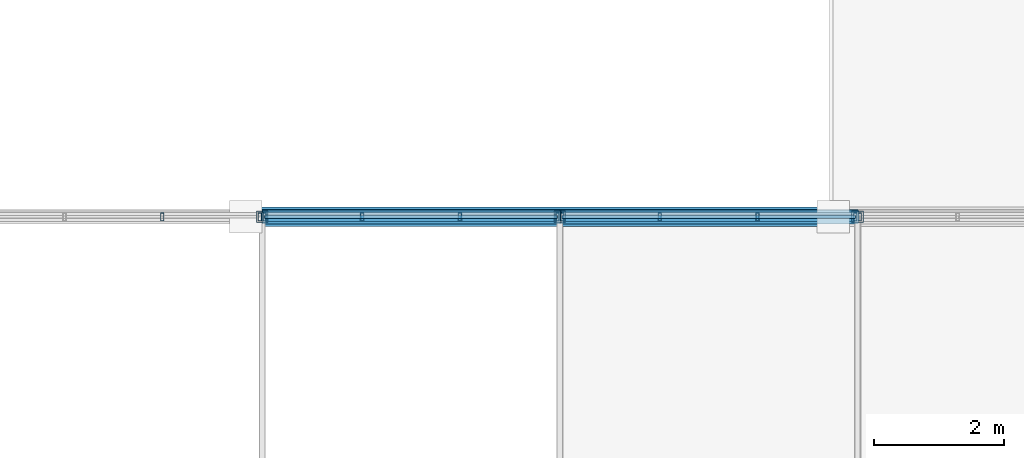
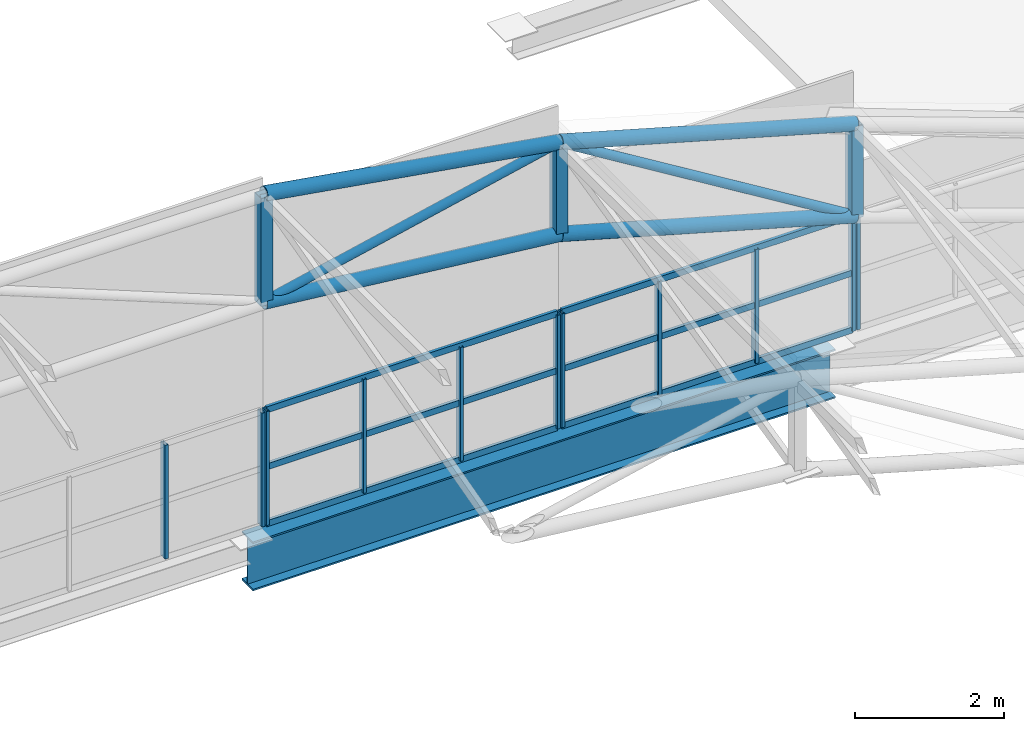
# One storey, part 57 of 101: 26 members, 1 beam, 4 elements without a shape of their own.
"""IFC4 building model written with IfcOpenShell, lengths in metres."""

from ifc_helpers import new_model, si_unit, direction, frame, origin, origin_2d, place, context, subcontext, project, spatial, hollow_rectangle, hollow_circle, i_section, extrude, material, material_profile, profile_set, type_object, element, aggregate, save


model = new_model("IFC4")

# Units and contexts
model_context = context("Model", 3, precision=1e-05, world=origin(), true_north=direction((0.0, 1.0)))
body_context = subcontext(model_context, "Body", "Model", "MODEL_VIEW")
ifc_project = project(units=[si_unit("LENGTHUNIT", "METRE"), si_unit("AREAUNIT", "SQUARE_METRE"), si_unit("VOLUMEUNIT", "CUBIC_METRE"), si_unit("PLANEANGLEUNIT", "RADIAN"), si_unit("MASSUNIT", "GRAM", prefix="KILO")], contexts=[model_context])

# Site, building, storey
site_placement = place(None, origin())
site = spatial("IfcSite", under=ifc_project, at=site_placement, CompositionType="ELEMENT")
building_placement = place(site_placement, origin())
building = spatial("IfcBuilding", under=site, at=building_placement, Name="Solvikara Media Centre", CompositionType="ELEMENT")
storey_placement = place(building_placement, frame((0.0, 0.0, 10.199951171875)))
storey = spatial("IfcBuildingStorey", under=building, at=storey_placement, Name="L02", CompositionType="ELEMENT", Elevation=10.199951171875)

# Beam
ifc_material_1 = material(Name="Steel S355JR", Category="steel")
ifc_material_profile_1 = material_profile(ifc_material_1, i_section(OverallWidth=0.300048828125, OverallDepth=0.800048828125, WebThickness=0.013916015625, FlangeThickness=0.02587890625, at=origin_2d()), Name="WF 800x300x14x26")
ifc_profile_set_1 = profile_set([ifc_material_profile_1], Name="Steel S355JR")
beam_type = type_object("IfcBeamType", Name="BM-16", PredefinedType="BEAM", material=ifc_profile_set_1)
beam_placement = place(storey_placement, frame((145.5, 72.0, -0.5), z_axis=(1.0, 0.0, 0.0), x_axis=(0.0, 1.0, 0.0)))
element("IfcBeam", 1, at=beam_placement, inside=storey, type_object=beam_type, Name="B-L02-X0883", PredefinedType="BEAM", context=body_context, shape_type="SweptSolid", body=[
    extrude(i_section(OverallWidth=0.300048828125, OverallDepth=0.800048828125, WebThickness=0.013916015625, FlangeThickness=0.02587890625, at=origin_2d()), origin(), (0.0, 0.0, 1.0), 9.0),
])

# Members
ifc_material_profile_2 = material_profile(ifc_material_1, hollow_circle(Radius=0.109619140625, WallThickness=0.008056640625, at=origin_2d()), Name="CHS 219.1x8")
ifc_profile_set_2 = profile_set([ifc_material_profile_2], Name="Steel S355JR")
member_type_1 = type_object("IfcMemberType", Name="MB-05", PredefinedType="CHORD", material=ifc_profile_set_2)
member_1_placement = place(storey_placement, frame((145.75, 72.0, 5.41015625), z_axis=(0.986711742418, 0.0, -0.162480575373), x_axis=(0.0, 1.0, 0.0)))
element("IfcMember", 2, at=member_1_placement, inside=storey, type_object=member_type_1, Name="BSA-TC-04-04", PredefinedType="CHORD", context=body_context, shape_type="SweptSolid", body=[
    extrude(hollow_circle(Radius=0.109619140625, WallThickness=0.008056640625, at=origin_2d()), origin(), (0.0, 0.0, 1.0), 4.62353515625),
])
member_2_placement = place(storey_placement, frame((145.75, 72.0, 3.650146484375), z_axis=(0.994253057295, 0.0, -0.107055397157), x_axis=(0.0, 1.0, 0.0)))
element("IfcMember", 3, at=member_2_placement, inside=storey, type_object=member_type_1, Name="BSA-BC-04-04", PredefinedType="CHORD", context=body_context, shape_type="SweptSolid", body=[
    extrude(hollow_circle(Radius=0.109619140625, WallThickness=0.008056640625, at=origin_2d()), origin(), (0.0, 0.0, 1.0), 4.58837890625),
])
for number, where, z_axis, x_axis, name in (
    (4, (150.31201171875, 72.0, 4.658935546875), (0.962119975268, 0.0, -0.272626398556), (0.0, 1.0, 0.0), "BSA-TC-04-05"),
    (5, (150.31201171875, 72.0, 3.158935546875), (0.962119975268, 0.0, -0.272626398556), (0.0, 1.0, 0.0), "BSA-BC-04-05"),
):
    element("IfcMember", number, at=place(storey_placement, frame(where, z_axis=z_axis, x_axis=x_axis)), inside=storey, type_object=member_type_1, Name=name, PredefinedType="CHORD", context=body_context, shape_type="SweptSolid", body=[
        extrude(hollow_circle(Radius=0.109619140625, WallThickness=0.008056640625, at=origin_2d()), origin(), (0.0, 0.0, 1.0), 4.74267578125),
    ])
ifc_material_profile_3 = material_profile(ifc_material_1, hollow_circle(Radius=0.06982421875, WallThickness=0.00634765625, at=origin_2d()), Name="CHS 139.7x6.3")
ifc_profile_set_3 = profile_set([ifc_material_profile_3], Name="Steel S355JR")
member_type_2 = type_object("IfcMemberType", Name="MB-08", PredefinedType="BRACE", material=ifc_profile_set_3)
member_3_placement = place(storey_placement, frame((145.75, 72.0, 3.650146484375), z_axis=(0.976412757167, 0.0, 0.215912314707), x_axis=(0.0, 1.0, 0.0)))
element("IfcMember", 6, at=member_3_placement, inside=storey, type_object=member_type_2, Name="BSA-DG-04-04", PredefinedType="BRACE", context=body_context, shape_type="SweptSolid", body=[
    extrude(hollow_circle(Radius=0.06982421875, WallThickness=0.00634765625, at=origin_2d()), origin(), (0.0, 0.0, 1.0), 4.672119140625),
])
member_4_placement = place(storey_placement, frame((150.31201171875, 72.0, 4.658935546875), z_axis=(0.852909361519, 0.0, -0.522059020641), x_axis=(0.0, 1.0, 0.0)))
element("IfcMember", 7, at=member_4_placement, inside=storey, type_object=member_type_2, Name="BSA-DG-04-05", PredefinedType="BRACE", context=body_context, shape_type="SweptSolid", body=[
    extrude(hollow_circle(Radius=0.06982421875, WallThickness=0.00634765625, at=origin_2d()), origin(), (0.0, 0.0, 1.0), 5.349853515625),
])
ifc_material_profile_4 = material_profile(ifc_material_1, hollow_rectangle(XDim=0.179931640625, YDim=0.179931640625, WallThickness=0.008056640625, at=origin_2d()), Name="RHS 180x180x8")
ifc_profile_set_4 = profile_set([ifc_material_profile_4], Name="Steel S355JR")
member_type_3 = type_object("IfcMemberType", Name="MB-14", PredefinedType="BRACE", material=ifc_profile_set_4)
member_5_placement = place(storey_placement, frame((145.75, 72.0, 3.650146484375), z_axis=(0.0, 0.0, 1.0), x_axis=(1.0, 0.0, 0.0)))
element("IfcMember", 8, at=member_5_placement, inside=storey, type_object=member_type_3, Name="BSA-VT-04-04", PredefinedType="BRACE", context=body_context, shape_type="SweptSolid", body=[
    extrude(hollow_rectangle(XDim=0.179931640625, YDim=0.179931640625, WallThickness=0.008056640625, at=origin_2d()), origin(), (0.0, 0.0, 1.0), 1.760009765625),
])
for number, where, z_axis, x_axis, name in (
    (9, (150.31201171875, 72.0, 3.158935546875), (0.0, 0.0, 1.0), (1.0, 0.0, 0.0), "BSA-VT-04-05"),
    (10, (154.875, 72.0, 1.865966796875), (0.0, 0.0, 1.0), (1.0, 0.0, 0.0), "BSA-VT-04-06"),
):
    element("IfcMember", number, at=place(storey_placement, frame(where, z_axis=z_axis, x_axis=x_axis)), inside=storey, type_object=member_type_3, Name=name, PredefinedType="BRACE", context=body_context, shape_type="SweptSolid", body=[
        extrude(hollow_rectangle(XDim=0.179931640625, YDim=0.179931640625, WallThickness=0.008056640625, at=origin_2d()), origin(), (0.0, 0.0, 1.0), 1.5),
    ])

# Curtain wall, members
ifc_material_2 = material(Name="Anodised aluminium EN AW-6063", Category="aluminium")
curtain_wall_type = type_object("IfcCurtainWallType", Name="CW-12", PredefinedType="NOTDEFINED", material=ifc_material_2)
curtain_wall_1_placement = place(storey_placement, origin())
curtain_wall_1 = element("IfcCurtainWall", 11, at=curtain_wall_1_placement, inside=storey, type_object=curtain_wall_type, Name="CW-BSAN-CLR-03", PredefinedType="NOTDEFINED")
ifc_material_profile_5 = material_profile(ifc_material_2, hollow_rectangle(XDim=0.050048828125, YDim=0.1201171875, WallThickness=0.0029296875, at=origin_2d()), Name="ALU-M 50x120x3")
ifc_profile_set_5 = profile_set([ifc_material_profile_5], Name="Anodised aluminium EN AW-6063")
member_type_4 = type_object("IfcMemberType", Name="MF-06", PredefinedType="MULLION", material=ifc_profile_set_5)
member_6_placement = place(storey_placement, frame((144.218017578125, 72.0, 0.02001953125), z_axis=(0.0, 0.0, 1.0), x_axis=(1.0, 0.0, 0.0)))
member_6 = element("IfcMember", 12, at=member_6_placement, type_object=member_type_4, Name="CW-BSAN-CLR-03-M02", PredefinedType="MULLION", context=body_context, shape_type="SweptSolid", body=[
    extrude(hollow_rectangle(XDim=0.050048828125, YDim=0.1201171875, WallThickness=0.0029296875, at=origin_2d()), origin(), (0.0, 0.0, 1.0), 1.860107421875),
])
member_7_placement = place(storey_placement, frame((145.715087890625, 72.0, 0.02001953125), z_axis=(0.0, 0.0, 1.0), x_axis=(1.0, 0.0, 0.0)))
member_7 = element("IfcMember", 13, at=member_7_placement, type_object=member_type_4, Name="CW-BSAN-CLR-03-M03", PredefinedType="MULLION", context=body_context, shape_type="SweptSolid", body=[
    extrude(hollow_rectangle(XDim=0.050048828125, YDim=0.1201171875, WallThickness=0.0029296875, at=origin_2d()), origin(), (0.0, 0.0, 1.0), 1.860107421875),
])
aggregate(curtain_wall_1, [member_6, member_7])

curtain_wall_2_placement = place(storey_placement, origin())
curtain_wall_2 = element("IfcCurtainWall", 14, at=curtain_wall_2_placement, inside=storey, type_object=curtain_wall_type, Name="CW-BSAN-CLR-04", PredefinedType="NOTDEFINED")
member_8_placement = place(storey_placement, frame((145.784912109375, 72.0, 0.02001953125), z_axis=(0.0, 0.0, 1.0), x_axis=(1.0, 0.0, 0.0)))
member_8 = element("IfcMember", 15, at=member_8_placement, type_object=member_type_4, Name="CW-BSAN-CLR-04-M00", PredefinedType="MULLION", context=body_context, shape_type="SweptSolid", body=[
    extrude(hollow_rectangle(XDim=0.050048828125, YDim=0.1201171875, WallThickness=0.0029296875, at=origin_2d()), origin(), (0.0, 0.0, 1.0), 1.860107421875),
])
member_9_placement = place(storey_placement, frame((147.281982421875, 72.0, 0.02001953125), z_axis=(0.0, 0.0, 1.0), x_axis=(1.0, 0.0, 0.0)))
member_9 = element("IfcMember", 16, at=member_9_placement, type_object=member_type_4, Name="CW-BSAN-CLR-04-M01", PredefinedType="MULLION", context=body_context, shape_type="SweptSolid", body=[
    extrude(hollow_rectangle(XDim=0.050048828125, YDim=0.1201171875, WallThickness=0.0029296875, at=origin_2d()), origin(), (0.0, 0.0, 1.0), 1.860107421875),
])
member_10_placement = place(storey_placement, frame((148.780029296875, 72.0, 0.02001953125), z_axis=(0.0, 0.0, 1.0), x_axis=(1.0, 0.0, 0.0)))
member_10 = element("IfcMember", 17, at=member_10_placement, type_object=member_type_4, Name="CW-BSAN-CLR-04-M02", PredefinedType="MULLION", context=body_context, shape_type="SweptSolid", body=[
    extrude(hollow_rectangle(XDim=0.050048828125, YDim=0.1201171875, WallThickness=0.0029296875, at=origin_2d()), origin(), (0.0, 0.0, 1.0), 1.860107421875),
])
member_11_placement = place(storey_placement, frame((150.277099609375, 72.0, 0.02001953125), z_axis=(0.0, 0.0, 1.0), x_axis=(1.0, 0.0, 0.0)))
member_11 = element("IfcMember", 18, at=member_11_placement, type_object=member_type_4, Name="CW-BSAN-CLR-04-M03", PredefinedType="MULLION", context=body_context, shape_type="SweptSolid", body=[
    extrude(hollow_rectangle(XDim=0.050048828125, YDim=0.1201171875, WallThickness=0.0029296875, at=origin_2d()), origin(), (0.0, 0.0, 1.0), 1.860107421875),
])

curtain_wall_3_placement = place(storey_placement, origin())
curtain_wall_3 = element("IfcCurtainWall", 19, at=curtain_wall_3_placement, inside=storey, type_object=curtain_wall_type, Name="CW-BSAN-CLR-05", PredefinedType="NOTDEFINED")
member_12_placement = place(storey_placement, frame((150.346923828125, 72.0, 0.02001953125), z_axis=(0.0, 0.0, 1.0), x_axis=(1.0, 0.0, 0.0)))
member_12 = element("IfcMember", 20, at=member_12_placement, type_object=member_type_4, Name="CW-BSAN-CLR-05-M00", PredefinedType="MULLION", context=body_context, shape_type="SweptSolid", body=[
    extrude(hollow_rectangle(XDim=0.050048828125, YDim=0.1201171875, WallThickness=0.0029296875, at=origin_2d()), origin(), (0.0, 0.0, 1.0), 1.860107421875),
])
member_13_placement = place(storey_placement, frame((151.844970703125, 72.0, 0.02001953125), z_axis=(0.0, 0.0, 1.0), x_axis=(1.0, 0.0, 0.0)))
member_13 = element("IfcMember", 21, at=member_13_placement, type_object=member_type_4, Name="CW-BSAN-CLR-05-M01", PredefinedType="MULLION", context=body_context, shape_type="SweptSolid", body=[
    extrude(hollow_rectangle(XDim=0.050048828125, YDim=0.1201171875, WallThickness=0.0029296875, at=origin_2d()), origin(), (0.0, 0.0, 1.0), 1.860107421875),
])
member_14_placement = place(storey_placement, frame((153.342041015625, 72.0, 0.02001953125), z_axis=(0.0, 0.0, 1.0), x_axis=(1.0, 0.0, 0.0)))
member_14 = element("IfcMember", 22, at=member_14_placement, type_object=member_type_4, Name="CW-BSAN-CLR-05-M02", PredefinedType="MULLION", context=body_context, shape_type="SweptSolid", body=[
    extrude(hollow_rectangle(XDim=0.050048828125, YDim=0.1201171875, WallThickness=0.0029296875, at=origin_2d()), origin(), (0.0, 0.0, 1.0), 1.860107421875),
])
member_15_placement = place(storey_placement, frame((154.840087890625, 72.0, 0.02001953125), z_axis=(0.0, 0.0, 1.0), x_axis=(1.0, 0.0, 0.0)))
member_15 = element("IfcMember", 23, at=member_15_placement, type_object=member_type_4, Name="CW-BSAN-CLR-05-M03", PredefinedType="MULLION", context=body_context, shape_type="SweptSolid", body=[
    extrude(hollow_rectangle(XDim=0.050048828125, YDim=0.1201171875, WallThickness=0.0029296875, at=origin_2d()), origin(), (0.0, 0.0, 1.0), 1.860107421875),
])

# Curtain wall, member
curtain_wall_4_placement = place(storey_placement, origin())
curtain_wall_4 = element("IfcCurtainWall", 24, at=curtain_wall_4_placement, inside=storey, type_object=curtain_wall_type, Name="CW-BSAN-CLR-06", PredefinedType="NOTDEFINED")
member_16_placement = place(storey_placement, frame((154.909912109375, 72.0, 0.02001953125), z_axis=(0.0, 0.0, 1.0), x_axis=(1.0, 0.0, 0.0)))
member_16 = element("IfcMember", 25, at=member_16_placement, type_object=member_type_4, Name="CW-BSAN-CLR-06-M00", PredefinedType="MULLION", context=body_context, shape_type="SweptSolid", body=[
    extrude(hollow_rectangle(XDim=0.050048828125, YDim=0.1201171875, WallThickness=0.0029296875, at=origin_2d()), origin(), (0.0, 0.0, 1.0), 1.860107421875),
])
aggregate(curtain_wall_4, [member_16])

# Member
ifc_material_profile_6 = material_profile(ifc_material_2, hollow_rectangle(XDim=0.050048828125, YDim=0.10009765625, WallThickness=0.0029296875, at=origin_2d()), Name="ALU-T 50x100x3")
ifc_profile_set_6 = profile_set([ifc_material_profile_6], Name="Anodised aluminium EN AW-6063")
member_type_5 = type_object("IfcMemberType", Name="MF-12", PredefinedType="USERDEFINED", material=ifc_profile_set_6)
member_17_placement = place(storey_placement, frame((145.784912109375, 72.0, 0.02001953125), z_axis=(1.0, 0.0, 0.0), x_axis=(0.0, 1.0, 0.0)))
member_17 = element("IfcMember", 26, at=member_17_placement, type_object=member_type_5, Name="CW-BSAN-CLR-04-T00", ObjectType="TRANSOM", PredefinedType="USERDEFINED", context=body_context, shape_type="SweptSolid", body=[
    extrude(hollow_rectangle(XDim=0.050048828125, YDim=0.10009765625, WallThickness=0.0029296875, at=origin_2d()), origin(), (0.0, 0.0, 1.0), 4.4921875),
])

member_18_placement = place(storey_placement, frame((145.784912109375, 72.0, 0.949951171875), z_axis=(1.0, 0.0, 0.0), x_axis=(0.0, 1.0, 0.0)))
member_18 = element("IfcMember", 27, at=member_18_placement, type_object=member_type_5, Name="CW-BSAN-CLR-04-T01", ObjectType="TRANSOM", PredefinedType="USERDEFINED", context=body_context, shape_type="SweptSolid", body=[
    extrude(hollow_rectangle(XDim=0.050048828125, YDim=0.10009765625, WallThickness=0.0029296875, at=origin_2d()), origin(), (0.0, 0.0, 1.0), 4.4921875),
])

member_19_placement = place(storey_placement, frame((145.784912109375, 72.0, 1.880126953125), z_axis=(1.0, 0.0, 0.0), x_axis=(0.0, 1.0, 0.0)))
member_19 = element("IfcMember", 28, at=member_19_placement, type_object=member_type_5, Name="CW-BSAN-CLR-04-T02", ObjectType="TRANSOM", PredefinedType="USERDEFINED", context=body_context, shape_type="SweptSolid", body=[
    extrude(hollow_rectangle(XDim=0.050048828125, YDim=0.10009765625, WallThickness=0.0029296875, at=origin_2d()), origin(), (0.0, 0.0, 1.0), 4.4921875),
])

aggregate(curtain_wall_2, [member_8, member_9, member_10, member_11, member_17, member_18, member_19])

member_20_placement = place(storey_placement, frame((150.346923828125, 72.0, 0.02001953125), z_axis=(1.0, 0.0, 0.0), x_axis=(0.0, 1.0, 0.0)))
member_20 = element("IfcMember", 29, at=member_20_placement, type_object=member_type_5, Name="CW-BSAN-CLR-05-T00", ObjectType="TRANSOM", PredefinedType="USERDEFINED", context=body_context, shape_type="SweptSolid", body=[
    extrude(hollow_rectangle(XDim=0.050048828125, YDim=0.10009765625, WallThickness=0.0029296875, at=origin_2d()), origin(), (0.0, 0.0, 1.0), 4.4931640625),
])

member_21_placement = place(storey_placement, frame((150.346923828125, 72.0, 0.949951171875), z_axis=(1.0, 0.0, 0.0), x_axis=(0.0, 1.0, 0.0)))
member_21 = element("IfcMember", 30, at=member_21_placement, type_object=member_type_5, Name="CW-BSAN-CLR-05-T01", ObjectType="TRANSOM", PredefinedType="USERDEFINED", context=body_context, shape_type="SweptSolid", body=[
    extrude(hollow_rectangle(XDim=0.050048828125, YDim=0.10009765625, WallThickness=0.0029296875, at=origin_2d()), origin(), (0.0, 0.0, 1.0), 4.4931640625),
])

member_22_placement = place(storey_placement, frame((150.346923828125, 72.0, 1.880126953125), z_axis=(1.0, 0.0, 0.0), x_axis=(0.0, 1.0, 0.0)))
member_22 = element("IfcMember", 31, at=member_22_placement, type_object=member_type_5, Name="CW-BSAN-CLR-05-T02", ObjectType="TRANSOM", PredefinedType="USERDEFINED", context=body_context, shape_type="SweptSolid", body=[
    extrude(hollow_rectangle(XDim=0.050048828125, YDim=0.10009765625, WallThickness=0.0029296875, at=origin_2d()), origin(), (0.0, 0.0, 1.0), 4.4931640625),
])

aggregate(curtain_wall_3, [member_12, member_13, member_14, member_15, member_20, member_21, member_22])

save(model, "model.ifc")
